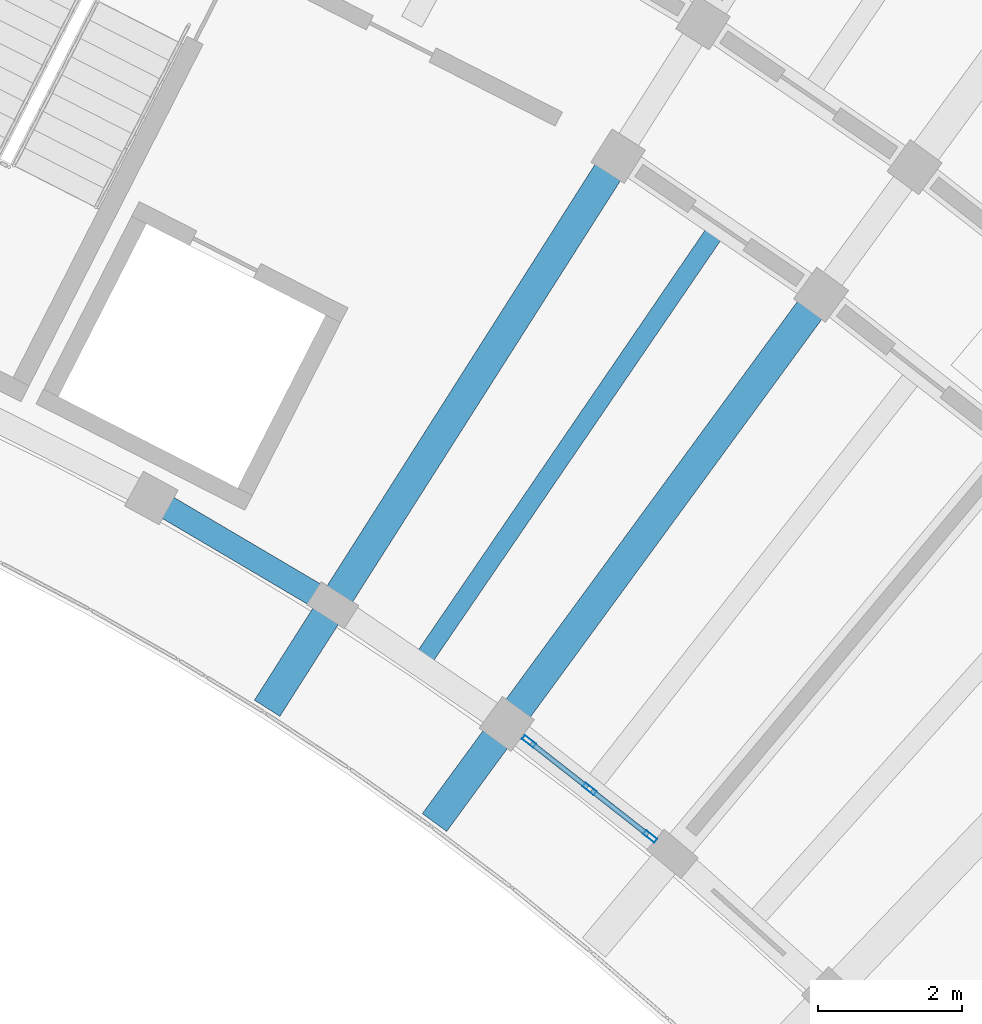
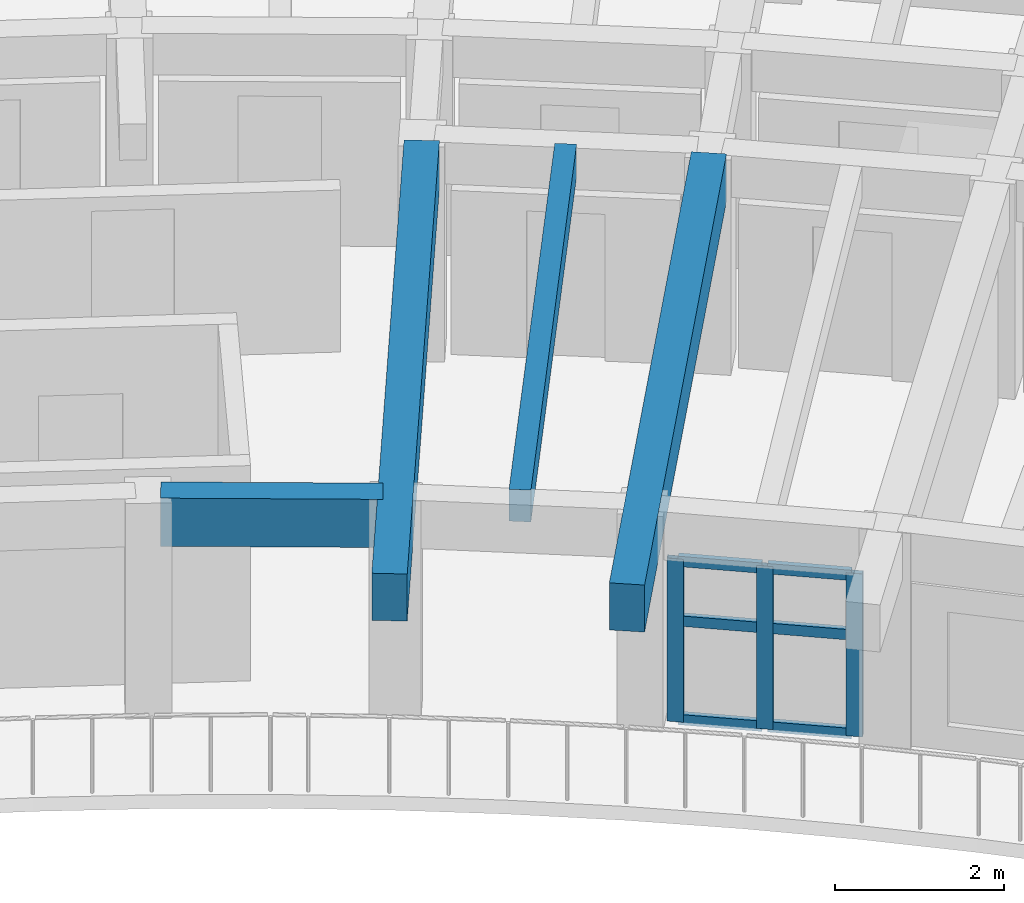
# One storey, part 15 of 69: 9 members, 4 beams, 1 element without a shape of its own.
"""IFC4 building model written with IfcOpenShell, lengths in metres."""

from ifc_helpers import new_model, si_unit, direction, frame, origin, origin_2d, place, context, subcontext, project, spatial, rectangle, hollow_rectangle, extrude, material, material_profile, profile_set, type_object, element, aggregate, save


model = new_model("IFC4")

# Units and contexts
model_context = context("Model", 3, precision=1e-05, world=origin(), true_north=direction((0.0, 1.0)))
body_context = subcontext(model_context, "Body", "Model", "MODEL_VIEW")
ifc_project = project(units=[si_unit("LENGTHUNIT", "METRE"), si_unit("AREAUNIT", "SQUARE_METRE"), si_unit("VOLUMEUNIT", "CUBIC_METRE"), si_unit("PLANEANGLEUNIT", "RADIAN"), si_unit("MASSUNIT", "GRAM", prefix="KILO")], contexts=[model_context])

# Site, building, storey
site_placement = place(None, origin())
site = spatial("IfcSite", under=ifc_project, at=site_placement, CompositionType="ELEMENT")
building_placement = place(site_placement, origin())
building = spatial("IfcBuilding", under=site, at=building_placement, Name="Tanwirah Colonnade Gardens", CompositionType="ELEMENT")
storey_placement = place(building_placement, frame((0.0, 0.0, 15.56005859375)))
storey = spatial("IfcBuildingStorey", under=building, at=storey_placement, Name="L04", CompositionType="ELEMENT", Elevation=15.56005859375)

# Beams
ifc_material_1 = material(Name="Precast concrete C45/55", Category="concrete")
ifc_material_profile_1 = material_profile(ifc_material_1, rectangle(XDim=0.419921875, YDim=0.679931640625, at=origin_2d()), Name="PC-BM 420x680")
ifc_profile_set_1 = profile_set([ifc_material_profile_1], Name="Precast concrete C45/55")
beam_type_1 = type_object("IfcBeamType", Name="BM-PC420", PredefinedType="BEAM", material=ifc_profile_set_1)
for number, where, z_axis, x_axis, name in (
    (1, (151.550537109375, 101.907958984375, 2.77001953125), (-0.590927205009, -0.806724883947, 0.0), (0.806724883947, -0.590927205009, 0.0), "Block B L04 Inner Radial Precast Girder 10"),
    (2, (148.736083984375, 103.830322265625, 2.77001953125), (-0.536483588607, -0.843910753075, 0.0), (0.843910753075, -0.536483588607, 0.0), "Block B L04 Inner Radial Precast Girder 11"),
):
    element("IfcBeam", number, at=place(storey_placement, frame(where, z_axis=z_axis, x_axis=x_axis)), inside=storey, type_object=beam_type_1, Name=name, PredefinedType="BEAM", context=body_context, shape_type="SweptSolid", body=[
        extrude(rectangle(XDim=0.419921875, YDim=0.679931640625, at=origin_2d()), origin(), (0.0, 0.0, 1.0), 8.949951171875),
    ])

# Curtain wall, members
ifc_material_2 = material(Name="Bronze-anodised aluminium and solar-control low-E glass", Category="aluminium")
curtain_wall_type = type_object("IfcCurtainWallType", Name="CW-GDN", PredefinedType="NOTDEFINED", material=ifc_material_2)
curtain_wall_placement = place(storey_placement, origin())
curtain_wall = element("IfcCurtainWall", 3, at=curtain_wall_placement, inside=storey, type_object=curtain_wall_type, Name="Curtain Wall CW-B-L04-IN-09", PredefinedType="NOTDEFINED")
ifc_material_3 = material(Name="Bronze-anodised aluminium", Category="aluminium")
ifc_material_profile_2 = material_profile(ifc_material_3, hollow_rectangle(XDim=0.070068359375, YDim=0.199951171875, WallThickness=0.00390625, at=origin_2d()), Name="CW-MUL 70x200x4")
ifc_profile_set_2 = profile_set([ifc_material_profile_2], Name="Bronze-anodised aluminium")
member_type_1 = type_object("IfcMemberType", Name="CWM-70x200", PredefinedType="MULLION", material=ifc_profile_set_2)
member_1_placement = place(storey_placement, frame((149.26123046875, 94.494384765625, 0.0), z_axis=(0.0, 0.0, 1.0), x_axis=(-0.617188542982, -0.786815291166, 0.0)))
member_1 = element("IfcMember", 4, at=member_1_placement, type_object=member_type_1, Name="CW-GDN mullion 1", PredefinedType="MULLION", context=body_context, shape_type="SweptSolid", body=[
    extrude(hollow_rectangle(XDim=0.070068359375, YDim=0.199951171875, WallThickness=0.00390625, at=origin_2d()), origin(), (0.0, 0.0, 1.0), 2.35498046875),
])
member_2_placement = place(storey_placement, frame((148.419189453125, 95.155029296875, 0.0), z_axis=(0.0, 0.0, 1.0), x_axis=(-0.617188542982, -0.786815291166, 0.0)))
member_2 = element("IfcMember", 5, at=member_2_placement, type_object=member_type_1, Name="CW-GDN mullion 2", PredefinedType="MULLION", context=body_context, shape_type="SweptSolid", body=[
    extrude(hollow_rectangle(XDim=0.070068359375, YDim=0.199951171875, WallThickness=0.00390625, at=origin_2d()), origin(), (0.0, 0.0, 1.0), 2.35498046875),
])
member_3_placement = place(storey_placement, frame((147.5771484375, 95.8154296875, 0.0), z_axis=(0.0, 0.0, 1.0), x_axis=(-0.617188542982, -0.786815291166, 0.0)))
member_3 = element("IfcMember", 6, at=member_3_placement, type_object=member_type_1, Name="CW-GDN mullion 3", PredefinedType="MULLION", context=body_context, shape_type="SweptSolid", body=[
    extrude(hollow_rectangle(XDim=0.070068359375, YDim=0.199951171875, WallThickness=0.00390625, at=origin_2d()), origin(), (0.0, 0.0, 1.0), 2.35498046875),
])
ifc_material_profile_3 = material_profile(ifc_material_3, hollow_rectangle(XDim=0.070068359375, YDim=0.14990234375, WallThickness=0.00390625, at=origin_2d()), Name="CW-TRN 70x150x4")
ifc_profile_set_3 = profile_set([ifc_material_profile_3], Name="Bronze-anodised aluminium")
member_type_2 = type_object("IfcMemberType", Name="CWT-70x150", PredefinedType="USERDEFINED", material=ifc_profile_set_3)
member_4_placement = place(storey_placement, frame((149.233642578125, 94.51611328125, 0.034912109375), z_axis=(-0.786927781531, 0.617045109092, 0.0), x_axis=(-0.617045109092, -0.786927781531, 0.0)))
member_4 = element("IfcMember", 7, at=member_4_placement, type_object=member_type_2, Name="CW-GDN transom 1.1", ObjectType="TRANSOM", PredefinedType="USERDEFINED", context=body_context, shape_type="SweptSolid", body=[
    extrude(hollow_rectangle(XDim=0.070068359375, YDim=0.14990234375, WallThickness=0.00390625, at=origin_2d()), origin(), (0.0, 0.0, 1.0), 1.000244140625),
])
member_5_placement = place(storey_placement, frame((149.233642578125, 94.51611328125, 1.4599609375), z_axis=(-0.786927781531, 0.617045109092, 0.0), x_axis=(-0.617045109092, -0.786927781531, 0.0)))
member_5 = element("IfcMember", 8, at=member_5_placement, type_object=member_type_2, Name="CW-GDN transom 1.2", ObjectType="TRANSOM", PredefinedType="USERDEFINED", context=body_context, shape_type="SweptSolid", body=[
    extrude(hollow_rectangle(XDim=0.070068359375, YDim=0.14990234375, WallThickness=0.00390625, at=origin_2d()), origin(), (0.0, 0.0, 1.0), 1.000244140625),
])
member_6_placement = place(storey_placement, frame((149.233642578125, 94.51611328125, 2.31982421875), z_axis=(-0.786927781531, 0.617045109092, 0.0), x_axis=(-0.617045109092, -0.786927781531, 0.0)))
member_6 = element("IfcMember", 9, at=member_6_placement, type_object=member_type_2, Name="CW-GDN transom 1.3", ObjectType="TRANSOM", PredefinedType="USERDEFINED", context=body_context, shape_type="SweptSolid", body=[
    extrude(hollow_rectangle(XDim=0.070068359375, YDim=0.14990234375, WallThickness=0.00390625, at=origin_2d()), origin(), (0.0, 0.0, 1.0), 1.000244140625),
])
member_7_placement = place(storey_placement, frame((148.3916015625, 95.176513671875, 0.034912109375), z_axis=(-0.786834820955, 0.617163644857, 0.0), x_axis=(-0.617163644857, -0.786834820955, 0.0)))
member_7 = element("IfcMember", 10, at=member_7_placement, type_object=member_type_2, Name="CW-GDN transom 2.1", ObjectType="TRANSOM", PredefinedType="USERDEFINED", context=body_context, shape_type="SweptSolid", body=[
    extrude(hollow_rectangle(XDim=0.070068359375, YDim=0.14990234375, WallThickness=0.00390625, at=origin_2d()), origin(), (0.0, 0.0, 1.0), 1.0),
])
member_8_placement = place(storey_placement, frame((148.3916015625, 95.176513671875, 1.4599609375), z_axis=(-0.786834820955, 0.617163644857, 0.0), x_axis=(-0.617163644857, -0.786834820955, 0.0)))
member_8 = element("IfcMember", 11, at=member_8_placement, type_object=member_type_2, Name="CW-GDN transom 2.2", ObjectType="TRANSOM", PredefinedType="USERDEFINED", context=body_context, shape_type="SweptSolid", body=[
    extrude(hollow_rectangle(XDim=0.070068359375, YDim=0.14990234375, WallThickness=0.00390625, at=origin_2d()), origin(), (0.0, 0.0, 1.0), 1.0),
])
member_9_placement = place(storey_placement, frame((148.3916015625, 95.176513671875, 2.31982421875), z_axis=(-0.786834820955, 0.617163644857, 0.0), x_axis=(-0.617163644857, -0.786834820955, 0.0)))
member_9 = element("IfcMember", 12, at=member_9_placement, type_object=member_type_2, Name="CW-GDN transom 2.3", ObjectType="TRANSOM", PredefinedType="USERDEFINED", context=body_context, shape_type="SweptSolid", body=[
    extrude(hollow_rectangle(XDim=0.070068359375, YDim=0.14990234375, WallThickness=0.00390625, at=origin_2d()), origin(), (0.0, 0.0, 1.0), 1.0),
])
aggregate(curtain_wall, [member_1, member_2, member_3, member_4, member_5, member_6, member_7, member_8, member_9])

# Beams
ifc_material_4 = material(Name="Precast concrete C40/50", Category="concrete")
ifc_material_profile_4 = material_profile(ifc_material_4, rectangle(XDim=0.260009765625, YDim=0.4599609375, at=origin_2d()), Name="PC-JST 260x460")
ifc_profile_set_4 = profile_set([ifc_material_profile_4], Name="Precast concrete C40/50")
beam_type_2 = type_object("IfcBeamType", Name="JST-PC260", PredefinedType="JOIST", material=ifc_profile_set_4)
beam_1_placement = place(storey_placement, frame((146.1376953125, 97.004638671875, 2.8798828125), z_axis=(0.564021195806, 0.825760310672, 0.0), x_axis=(-0.825760310672, 0.564021195806, 0.0)))
element("IfcBeam", 13, at=beam_1_placement, inside=storey, type_object=beam_type_2, Name="Block B L04 Inner Precast Floor Joist 10", PredefinedType="JOIST", context=body_context, shape_type="SweptSolid", body=[
    extrude(rectangle(XDim=0.260009765625, YDim=0.4599609375, at=origin_2d()), origin(), (0.0, 0.0, 1.0), 7.159912109375),
])
ifc_material_profile_5 = material_profile(ifc_material_4, rectangle(XDim=0.3349609375, YDim=0.695068359375, at=origin_2d()), Name="PC-SP 335x695")
ifc_profile_set_5 = profile_set([ifc_material_profile_5], Name="Precast concrete C40/50")
beam_type_3 = type_object("IfcBeamType", Name="SP-PC300", PredefinedType="SPANDREL", material=ifc_profile_set_5)
beam_2_placement = place(storey_placement, frame((144.717529296875, 97.7880859375, 2.762451171875), z_axis=(-0.861148181788, 0.508354019363, 0.0), x_axis=(-0.508354019363, -0.861148181788, 0.0)))
element("IfcBeam", 14, at=beam_2_placement, inside=storey, type_object=beam_type_3, Name="Block B L04 Circumferential Beam 11-R0", PredefinedType="SPANDREL", context=body_context, shape_type="SweptSolid", body=[
    extrude(rectangle(XDim=0.3349609375, YDim=0.695068359375, at=origin_2d()), origin(), (0.0, 0.0, 1.0), 2.63037109375),
])

save(model, "model.ifc")
